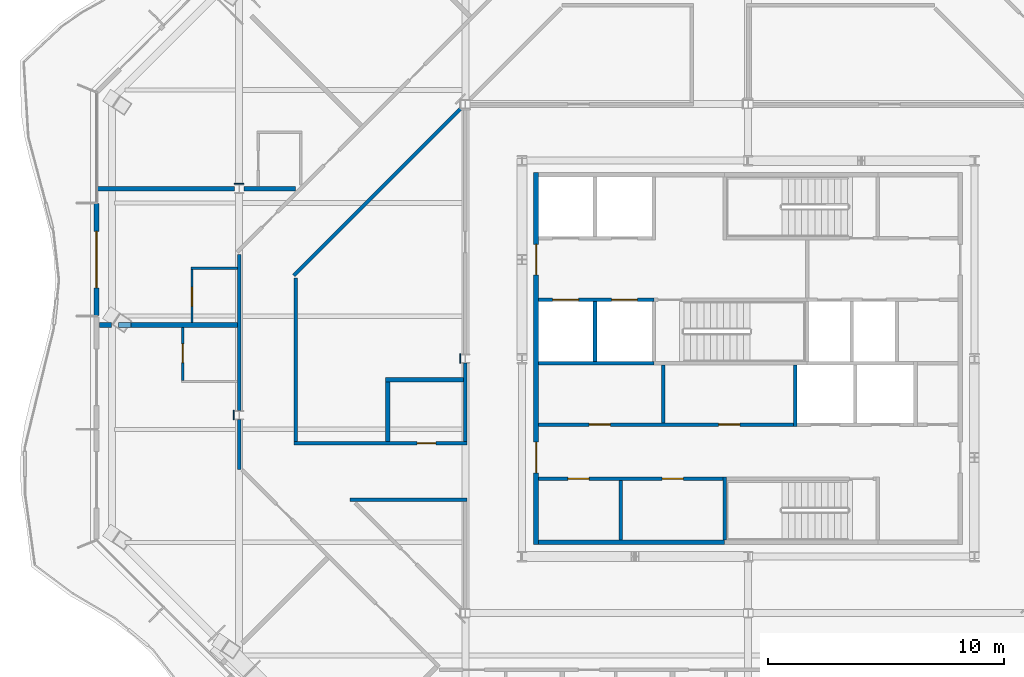
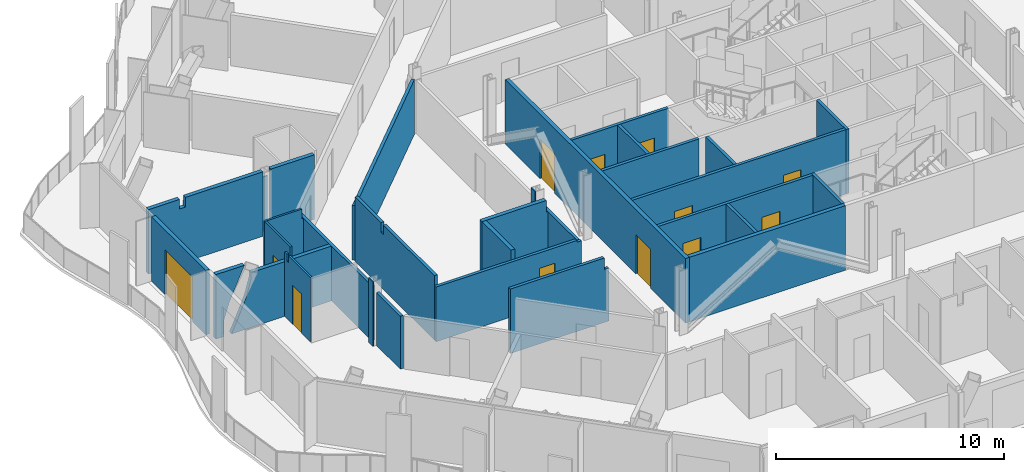
# One storey, part 8 of 21: 31 walls, 12 doors, 12 openings.
"""IFC4 building model written with IfcOpenShell, lengths in metres."""

from ifc_helpers import new_model, si_unit, direction, frame, frame_2d, origin, place, context, subcontext, project, spatial, polyline, rectangle, outline, extrude, material, layer, layer_set, type_object, element, fill, save


model = new_model("IFC4")

# Units and contexts
model_context = context("Model", 3, precision=1e-05, world=origin(), true_north=direction((0.0, 1.0)))
body_context = subcontext(model_context, "Body", "Model", "MODEL_VIEW")
ifc_project = project(units=[si_unit("LENGTHUNIT", "METRE"), si_unit("AREAUNIT", "SQUARE_METRE"), si_unit("VOLUMEUNIT", "CUBIC_METRE"), si_unit("PLANEANGLEUNIT", "RADIAN"), si_unit("MASSUNIT", "GRAM", prefix="KILO")], contexts=[model_context])

# Site, building, storey
site_placement = place(None, origin())
site = spatial("IfcSite", under=ifc_project, at=site_placement, CompositionType="ELEMENT")
building_placement = place(site_placement, origin())
building = spatial("IfcBuilding", under=site, at=building_placement, Name="Cairn Pilgrim Tower", CompositionType="ELEMENT")
storey_placement = place(building_placement, frame((0.0, 0.0, 179.39990234375)))
storey = spatial("IfcBuildingStorey", under=building, at=storey_placement, Name="L45", CompositionType="ELEMENT", Elevation=179.39990234375)

# Wall, opening, door
ifc_material_1 = material(Name="Bronze anodised aluminium insulated sandwich panel with mineral wool fill", Category="aluminium")
ifc_layer_1 = layer(ifc_material_1, 0.199951171875)
ifc_layer_set_1 = layer_set([ifc_layer_1], Name="BRONZE INFILL FRAME WALL 200")
wall_type_1 = type_object("IfcWallType", Name="BRONZE INFILL FRAME WALL 200", PredefinedType="NOTDEFINED", material=ifc_layer_set_1)
wall_1_placement = place(storey_placement, frame((-20.449951171875, 8.969970703125, 0.0), z_axis=(0.0, 0.0, 1.0), x_axis=(0.0, -1.0, 0.0)))
wall_1 = element("IfcWall", 1, at=wall_1_placement, inside=storey, type_object=wall_type_1, Name="Bronze infill frame wall IW-W2", PredefinedType="NOTDEFINED", context=body_context, shape_type="SweptSolid", body=[
    extrude(rectangle(XDim=4.739990234375, YDim=0.199951171875, at=frame_2d((2.3701171875, 0.0))), origin(), (0.0, 0.0, 1.0), 3.4501953125),
])
opening_1_placement = place(wall_1_placement, frame((1.169921875, 0.0, 0.0)))
opening_1 = element("IfcOpeningElement", 2, at=opening_1_placement, cuts=wall_1, Name="Opening 4514B", PredefinedType="OPENING", context=body_context, shape_type="SweptSolid", body=[
    extrude(rectangle(XDim=2.39990234375, YDim=2.39990234375, at=frame_2d((1.199951171875, 1.199951171875))), frame((0.0, 0.10986328125, 0.0), z_axis=(0.0, -1.0, 0.0), x_axis=(1.0, 0.0, 0.0)), (0.0, 0.0, 1.0), 0.219970703125),
])
ifc_material_2 = material(Name="Bronze anodised aluminium frame with tinted low-E glass", Category="aluminium")
door_type_1 = type_object("IfcDoorType", Name="BALCONY SLIDING DOOR 2400x2400", OperationType="DOUBLE_DOOR_SLIDING", PredefinedType="DOOR", material=ifc_material_2)
door_1_placement = place(opening_1_placement, origin())
door_1 = element("IfcDoor", 3, at=door_1_placement, inside=storey, type_object=door_type_1, Name="Balcony sliding door 4514B", OperationType="SINGLE_SWING_LEFT", OverallHeight=2.39990234375, OverallWidth=2.39990234375, PredefinedType="DOOR", context=body_context, shape_type="SweptSolid", body=[
    extrude(rectangle(XDim=2.39990234375, YDim=2.39990234375, at=frame_2d((1.199951171875, 1.199951171875))), frame((0.0, 0.02490234375, 0.0), z_axis=(0.0, -1.0, 0.0), x_axis=(1.0, 0.0, 0.0)), (0.0, 0.0, 1.0), 0.050048828125),
])
fill(opening_1, door_1)

# Wall
ifc_material_3 = material(Name="Concrete C32/40", Category="concrete")
ifc_layer_2 = layer(ifc_material_3, 0.199951171875)
ifc_layer_set_2 = layer_set([ifc_layer_2], Name="CORE OUTER WALL 200 EI 120")
wall_type_2 = type_object("IfcWallType", Name="CORE OUTER WALL 200 EI 120", PredefinedType="SOLIDWALL", material=ifc_layer_set_2)
wall_2_placement = place(storey_placement, frame((-1.699951171875, -5.39990234375, 0.0), z_axis=(0.0, 0.0, 1.0), x_axis=(1.0, 0.0, 0.0)))
element("IfcWall", 4, at=wall_2_placement, inside=storey, type_object=wall_type_2, Name="CW:L45:H01-1", PredefinedType="SOLIDWALL", context=body_context, shape_type="SweptSolid", body=[
    extrude(rectangle(XDim=7.89990234375, YDim=0.199951171875, at=frame_2d((3.949951171875, 0.0))), origin(), (0.0, 0.0, 1.0), 3.4501953125),
])

# Wall, openings, doors
wall_3_placement = place(storey_placement, frame((-1.800048828125, -5.5, 0.0), z_axis=(0.0, 0.0, 1.0), x_axis=(0.0, 1.0, 0.0)))
wall_3 = element("IfcWall", 5, at=wall_3_placement, inside=storey, type_object=wall_type_2, Name="CW:L45:V13", PredefinedType="SOLIDWALL", context=body_context, shape_type="SweptSolid", body=[
    extrude(rectangle(XDim=15.800048828125, YDim=0.199951171875, at=frame_2d((7.89990234375, 0.0))), origin(), (0.0, 0.0, 1.0), 3.4501953125),
])
opening_2_placement = place(wall_3_placement, frame((3.050048828125, 0.0, 0.0)))
opening_2 = element("IfcOpeningElement", 6, at=opening_2_placement, cuts=wall_3, Name="Opening CD-W1", PredefinedType="OPENING", context=body_context, shape_type="SweptSolid", body=[
    extrude(rectangle(XDim=1.300048828125, YDim=2.10009765625, at=frame_2d((0.64990234375, 1.050048828125))), frame((0.0, 0.10986328125, 0.0), z_axis=(0.0, -1.0, 0.0), x_axis=(1.0, 0.0, 0.0)), (0.0, 0.0, 1.0), 0.219970703125),
])
opening_3_placement = place(wall_3_placement, frame((11.449951171875, 0.0, 0.0)))
opening_3 = element("IfcOpeningElement", 7, at=opening_3_placement, cuts=wall_3, Name="Opening CD-W2", PredefinedType="OPENING", context=body_context, shape_type="SweptSolid", body=[
    extrude(rectangle(XDim=1.300048828125, YDim=2.10009765625, at=frame_2d((0.64990234375, 1.050048828125))), frame((0.0, 0.10986328125, 0.0), z_axis=(0.0, -1.0, 0.0), x_axis=(1.0, 0.0, 0.0)), (0.0, 0.0, 1.0), 0.219970703125),
])
ifc_material_4 = material(Name="Painted steel", Category="steel")
door_type_2 = type_object("IfcDoorType", Name="CORE LOBBY DOOR 1300x2100", OperationType="DOUBLE_DOOR_SINGLE_SWING", PredefinedType="DOOR", material=ifc_material_4)
door_2_placement = place(opening_2_placement, origin())
door_2 = element("IfcDoor", 8, at=door_2_placement, inside=storey, type_object=door_type_2, Name="CD-W1", OperationType="DOUBLE_DOOR_SINGLE_SWING", OverallHeight=2.10009765625, OverallWidth=1.300048828125, PredefinedType="DOOR", context=body_context, shape_type="SweptSolid", body=[
    extrude(rectangle(XDim=1.300048828125, YDim=2.10009765625, at=frame_2d((0.64990234375, 1.050048828125))), frame((0.0, 0.02490234375, 0.0), z_axis=(0.0, -1.0, 0.0), x_axis=(1.0, 0.0, 0.0)), (0.0, 0.0, 1.0), 0.050048828125),
])
fill(opening_2, door_2)
door_3_placement = place(opening_3_placement, origin())
door_3 = element("IfcDoor", 9, at=door_3_placement, inside=storey, type_object=door_type_2, Name="CD-W2", OperationType="DOUBLE_DOOR_SINGLE_SWING", OverallHeight=2.10009765625, OverallWidth=1.300048828125, PredefinedType="DOOR", context=body_context, shape_type="SweptSolid", body=[
    extrude(rectangle(XDim=1.300048828125, YDim=2.10009765625, at=frame_2d((0.64990234375, 1.050048828125))), frame((0.0, 0.02490234375, 0.0), z_axis=(0.0, -1.0, 0.0), x_axis=(1.0, 0.0, 0.0)), (0.0, 0.0, 1.0), 0.050048828125),
])
fill(opening_3, door_3)

ifc_layer_3 = layer(ifc_material_3, 0.14990234375)
ifc_layer_set_3 = layer_set([ifc_layer_3], Name="CORE PARTITION 150 EI 60")
wall_type_3 = type_object("IfcWallType", Name="CORE PARTITION 150 EI 60", PredefinedType="PARTITIONING", material=ifc_layer_set_3)
wall_4_placement = place(storey_placement, frame((-1.699951171875, -2.699951171875, 0.0), z_axis=(0.0, 0.0, 1.0), x_axis=(1.0, 0.0, 0.0)))
wall_4 = element("IfcWall", 10, at=wall_4_placement, inside=storey, type_object=wall_type_3, Name="CW:L45:H02", PredefinedType="PARTITIONING", context=body_context, shape_type="SweptSolid", body=[
    extrude(rectangle(XDim=7.824951171875, YDim=0.14990234375, at=frame_2d((3.91259765625, 0.0))), origin(), (0.0, 0.0, 1.0), 3.4501953125),
])
opening_4_placement = place(wall_4_placement, frame((1.25, 0.0, 0.0)))
opening_4 = element("IfcOpeningElement", 11, at=opening_4_placement, cuts=wall_4, Name="Opening RD-R1W1", PredefinedType="OPENING", context=body_context, shape_type="SweptSolid", body=[
    extrude(rectangle(XDim=0.89990234375, YDim=2.10009765625, at=frame_2d((0.449951171875, 1.050048828125))), frame((0.0, 0.0849609375, 0.0), z_axis=(0.0, -1.0, 0.0), x_axis=(1.0, 0.0, 0.0)), (0.0, 0.0, 1.0), 0.169921875),
])
opening_5_placement = place(wall_4_placement, frame((5.25, 0.0, 0.0)))
opening_5 = element("IfcOpeningElement", 12, at=opening_5_placement, cuts=wall_4, Name="Opening RD-R1W2", PredefinedType="OPENING", context=body_context, shape_type="SweptSolid", body=[
    extrude(rectangle(XDim=0.89990234375, YDim=2.10009765625, at=frame_2d((0.449951171875, 1.050048828125))), frame((0.0, 0.0849609375, 0.0), z_axis=(0.0, -1.0, 0.0), x_axis=(1.0, 0.0, 0.0)), (0.0, 0.0, 1.0), 0.169921875),
])
door_type_3 = type_object("IfcDoorType", Name="SERVICE ROOM DOOR 900x2100", OperationType="SINGLE_SWING_LEFT", PredefinedType="DOOR", material=ifc_material_4)
door_4_placement = place(opening_4_placement, origin())
door_4 = element("IfcDoor", 13, at=door_4_placement, inside=storey, type_object=door_type_3, Name="RD-R1W1", OperationType="SINGLE_SWING_LEFT", OverallHeight=2.10009765625, OverallWidth=0.89990234375, PredefinedType="DOOR", context=body_context, shape_type="SweptSolid", body=[
    extrude(rectangle(XDim=0.89990234375, YDim=2.10009765625, at=frame_2d((0.449951171875, 1.050048828125))), frame((0.0, 0.02490234375, 0.0), z_axis=(0.0, -1.0, 0.0), x_axis=(1.0, 0.0, 0.0)), (0.0, 0.0, 1.0), 0.050048828125),
])
fill(opening_4, door_4)
door_5_placement = place(opening_5_placement, origin())
door_5 = element("IfcDoor", 14, at=door_5_placement, inside=storey, type_object=door_type_3, Name="RD-R1W2", OperationType="SINGLE_SWING_RIGHT", OverallHeight=2.10009765625, OverallWidth=0.89990234375, PredefinedType="DOOR", context=body_context, shape_type="SweptSolid", body=[
    extrude(rectangle(XDim=0.89990234375, YDim=2.10009765625, at=frame_2d((0.449951171875, 1.050048828125))), frame((0.0, 0.02490234375, 0.0), z_axis=(0.0, -1.0, 0.0), x_axis=(1.0, 0.0, 0.0)), (0.0, 0.0, 1.0), 0.050048828125),
])
fill(opening_5, door_5)

wall_5_placement = place(storey_placement, frame((-1.699951171875, -0.39990234375, 0.0), z_axis=(0.0, 0.0, 1.0), x_axis=(1.0, 0.0, 0.0)))
wall_5 = element("IfcWall", 15, at=wall_5_placement, inside=storey, type_object=wall_type_3, Name="CW:L45:H04", PredefinedType="PARTITIONING", context=body_context, shape_type="SweptSolid", body=[
    extrude(rectangle(XDim=10.824951171875, YDim=0.14990234375, at=frame_2d((5.41259765625, 0.0))), origin(), (0.0, 0.0, 1.0), 3.4501953125),
])
opening_6_placement = place(wall_5_placement, frame((2.14990234375, 0.0, 0.0)))
opening_6 = element("IfcOpeningElement", 16, at=opening_6_placement, cuts=wall_5, Name="Opening RD-R2W1", PredefinedType="OPENING", context=body_context, shape_type="SweptSolid", body=[
    extrude(rectangle(XDim=0.89990234375, YDim=2.10009765625, at=frame_2d((0.449951171875, 1.050048828125))), frame((0.0, 0.0849609375, 0.0), z_axis=(0.0, -1.0, 0.0), x_axis=(1.0, 0.0, 0.0)), (0.0, 0.0, 1.0), 0.169921875),
])
opening_7_placement = place(wall_5_placement, frame((7.64990234375, 0.0, 0.0)))
opening_7 = element("IfcOpeningElement", 17, at=opening_7_placement, cuts=wall_5, Name="Opening RD-R2W2", PredefinedType="OPENING", context=body_context, shape_type="SweptSolid", body=[
    extrude(rectangle(XDim=0.89990234375, YDim=2.10009765625, at=frame_2d((0.449951171875, 1.050048828125))), frame((0.0, 0.0849609375, 0.0), z_axis=(0.0, -1.0, 0.0), x_axis=(1.0, 0.0, 0.0)), (0.0, 0.0, 1.0), 0.169921875),
])
door_6_placement = place(opening_6_placement, origin())
door_6 = element("IfcDoor", 18, at=door_6_placement, inside=storey, type_object=door_type_3, Name="RD-R2W1", OperationType="SINGLE_SWING_LEFT", OverallHeight=2.10009765625, OverallWidth=0.89990234375, PredefinedType="DOOR", context=body_context, shape_type="SweptSolid", body=[
    extrude(rectangle(XDim=0.89990234375, YDim=2.10009765625, at=frame_2d((0.449951171875, 1.050048828125))), frame((0.0, 0.02490234375, 0.0), z_axis=(0.0, -1.0, 0.0), x_axis=(1.0, 0.0, 0.0)), (0.0, 0.0, 1.0), 0.050048828125),
])
fill(opening_6, door_6)
door_7_placement = place(opening_7_placement, origin())
door_7 = element("IfcDoor", 19, at=door_7_placement, inside=storey, type_object=door_type_3, Name="RD-R2W2", OperationType="SINGLE_SWING_RIGHT", OverallHeight=2.10009765625, OverallWidth=0.89990234375, PredefinedType="DOOR", context=body_context, shape_type="SweptSolid", body=[
    extrude(rectangle(XDim=0.89990234375, YDim=2.10009765625, at=frame_2d((0.449951171875, 1.050048828125))), frame((0.0, 0.02490234375, 0.0), z_axis=(0.0, -1.0, 0.0), x_axis=(1.0, 0.0, 0.0)), (0.0, 0.0, 1.0), 0.050048828125),
])
fill(opening_7, door_7)

# Walls
wall_6_placement = place(storey_placement, frame((1.800048828125, -5.300048828125, 0.0), z_axis=(0.0, 0.0, 1.0), x_axis=(0.0, 1.0, 0.0)))
element("IfcWall", 20, at=wall_6_placement, inside=storey, type_object=wall_type_3, Name="CW:L45:V16", PredefinedType="PARTITIONING", context=body_context, shape_type="SweptSolid", body=[
    extrude(rectangle(XDim=2.525146484375, YDim=0.14990234375, at=frame_2d((1.2626953125, 0.0))), origin(), (0.0, 0.0, 1.0), 3.4501953125),
])
wall_7_placement = place(storey_placement, frame((3.60009765625, -0.324951171875, 0.0), z_axis=(0.0, 0.0, 1.0), x_axis=(0.0, 1.0, 0.0)))
element("IfcWall", 21, at=wall_7_placement, inside=storey, type_object=wall_type_3, Name="CW:L45:V19", PredefinedType="PARTITIONING", context=body_context, shape_type="SweptSolid", body=[
    extrude(rectangle(XDim=2.449951171875, YDim=0.14990234375, at=frame_2d((1.22509765625, 0.0))), origin(), (0.0, 0.0, 1.0), 3.4501953125),
])
ifc_layer_4 = layer(ifc_material_3, 0.14990234375)
ifc_layer_set_4 = layer_set([ifc_layer_4], Name="CORE SHAFT WALL 150 EI 120")
wall_type_4 = type_object("IfcWallType", Name="CORE SHAFT WALL 150 EI 120", PredefinedType="SOLIDWALL", material=ifc_layer_set_4)
wall_8_placement = place(storey_placement, frame((-1.699951171875, 2.199951171875, 0.0), z_axis=(0.0, 0.0, 1.0), x_axis=(1.0, 0.0, 0.0)))
element("IfcWall", 22, at=wall_8_placement, inside=storey, type_object=wall_type_4, Name="CW:L45:H07-1", PredefinedType="SOLIDWALL", context=body_context, shape_type="SweptSolid", body=[
    extrude(rectangle(XDim=4.89990234375, YDim=0.14990234375, at=frame_2d((2.449951171875, 0.0))), origin(), (0.0, 0.0, 1.0), 3.4501953125),
])

# Wall, openings, doors
wall_9_placement = place(storey_placement, frame((-1.699951171875, 4.89990234375, 0.0), z_axis=(0.0, 0.0, 1.0), x_axis=(1.0, 0.0, 0.0)))
wall_9 = element("IfcWall", 23, at=wall_9_placement, inside=storey, type_object=wall_type_4, Name="CW:L45:H09-1", PredefinedType="SOLIDWALL", context=body_context, shape_type="SweptSolid", body=[
    extrude(rectangle(XDim=4.89990234375, YDim=0.14990234375, at=frame_2d((2.449951171875, 0.0))), origin(), (0.0, 0.0, 1.0), 3.4501953125),
])
opening_8_placement = place(wall_9_placement, frame((0.60009765625, 0.0, 0.0)))
opening_8 = element("IfcOpeningElement", 24, at=opening_8_placement, cuts=wall_9, Name="Opening LD-HR1", PredefinedType="OPENING", context=body_context, shape_type="SweptSolid", body=[
    extrude(rectangle(XDim=1.10009765625, YDim=2.10009765625, at=frame_2d((0.550048828125, 1.050048828125))), frame((0.0, 0.0849609375, 0.0), z_axis=(0.0, -1.0, 0.0), x_axis=(1.0, 0.0, 0.0)), (0.0, 0.0, 1.0), 0.169921875),
])
opening_9_placement = place(wall_9_placement, frame((3.10009765625, 0.0, 0.0)))
opening_9 = element("IfcOpeningElement", 25, at=opening_9_placement, cuts=wall_9, Name="Opening LD-HR2", PredefinedType="OPENING", context=body_context, shape_type="SweptSolid", body=[
    extrude(rectangle(XDim=1.10009765625, YDim=2.10009765625, at=frame_2d((0.550048828125, 1.050048828125))), frame((0.0, 0.0849609375, 0.0), z_axis=(0.0, -1.0, 0.0), x_axis=(1.0, 0.0, 0.0)), (0.0, 0.0, 1.0), 0.169921875),
])
ifc_material_5 = material(Name="Stainless steel", Category="steel")
door_type_4 = type_object("IfcDoorType", Name="LIFT LANDING DOOR 1100x2100", OperationType="DOUBLE_DOOR_SLIDING", PredefinedType="DOOR", material=ifc_material_5)
door_8_placement = place(opening_8_placement, origin())
door_8 = element("IfcDoor", 26, at=door_8_placement, inside=storey, type_object=door_type_4, Name="LANDING DOOR HR1", OperationType="DOUBLE_DOOR_SLIDING", OverallHeight=2.10009765625, OverallWidth=1.10009765625, PredefinedType="DOOR", context=body_context, shape_type="SweptSolid", body=[
    extrude(rectangle(XDim=1.10009765625, YDim=2.10009765625, at=frame_2d((0.550048828125, 1.050048828125))), frame((0.0, 0.02490234375, 0.0), z_axis=(0.0, -1.0, 0.0), x_axis=(1.0, 0.0, 0.0)), (0.0, 0.0, 1.0), 0.050048828125),
])
fill(opening_8, door_8)
door_9_placement = place(opening_9_placement, origin())
door_9 = element("IfcDoor", 27, at=door_9_placement, inside=storey, type_object=door_type_4, Name="LANDING DOOR HR2", OperationType="DOUBLE_DOOR_SLIDING", OverallHeight=2.10009765625, OverallWidth=1.10009765625, PredefinedType="DOOR", context=body_context, shape_type="SweptSolid", body=[
    extrude(rectangle(XDim=1.10009765625, YDim=2.10009765625, at=frame_2d((0.550048828125, 1.050048828125))), frame((0.0, 0.02490234375, 0.0), z_axis=(0.0, -1.0, 0.0), x_axis=(1.0, 0.0, 0.0)), (0.0, 0.0, 1.0), 0.050048828125),
])
fill(opening_9, door_9)

# Walls
wall_10_placement = place(storey_placement, frame((0.699951171875, 2.27490234375, 0.0), z_axis=(0.0, 0.0, 1.0), x_axis=(0.0, 1.0, 0.0)))
element("IfcWall", 28, at=wall_10_placement, inside=storey, type_object=wall_type_4, Name="CW:L45:V14", PredefinedType="SOLIDWALL", context=body_context, shape_type="SweptSolid", body=[
    extrude(rectangle(XDim=2.550048828125, YDim=0.14990234375, at=frame_2d((1.27490234375, 0.0))), origin(), (0.0, 0.0, 1.0), 3.4501953125),
])
wall_11_placement = place(storey_placement, frame((9.199951171875, -0.47509765625, 0.0), z_axis=(0.0, 0.0, 1.0), x_axis=(0.0, 1.0, 0.0)))
element("IfcWall", 29, at=wall_11_placement, inside=storey, type_object=wall_type_4, Name="CW:L45:V22", PredefinedType="SOLIDWALL", context=body_context, shape_type="SweptSolid", body=[
    extrude(rectangle(XDim=2.60009765625, YDim=0.14990234375, at=frame_2d((1.300048828125, 0.0))), origin(), (0.0, 0.0, 1.0), 3.4501953125),
])

# Wall, opening, door
ifc_material_6 = material(Name="Gypsum partition")
ifc_layer_5 = layer(ifc_material_6, 0.10009765625)
ifc_layer_set_5 = layer_set([ifc_layer_5], Name="PARTITION 100 DRYWALL")
wall_type_5 = type_object("IfcWallType", Name="PARTITION 100 DRYWALL", PredefinedType="PARTITIONING", material=ifc_layer_set_5)
wall_12_placement = place(storey_placement, frame((-16.800048828125, 1.47509765625, 0.0), z_axis=(0.0, 0.0, 1.0), x_axis=(0.0, 1.0, 0.0)))
wall_12 = element("IfcWall", 30, at=wall_12_placement, inside=storey, type_object=wall_type_5, Name="PARTITION W051", PredefinedType="PARTITIONING", context=body_context, shape_type="SweptSolid", body=[
    extrude(outline(polyline([(0.0, 0.0), (2.25, 0.0), (2.25, 3.4501953125), (2.06005859375, 3.4501953125), (2.05810546875, 3.070068359375), (1.889892578125, 3.070068359375), (1.887939453125, 3.4501953125), (0.0, 3.4501953125), (0.0, 0.0)])), frame((0.0, 0.050048828125, 0.0), z_axis=(0.0, -1.0, 0.0), x_axis=(1.0, 0.0, 0.0)), (0.0, 0.0, 1.0), 0.10009765625),
])
opening_10_placement = place(wall_12_placement, frame((0.75, 0.0, 0.0)))
opening_10 = element("IfcOpeningElement", 31, at=opening_10_placement, cuts=wall_12, Name="Opening 4515A", PredefinedType="OPENING", context=body_context, shape_type="SweptSolid", body=[
    extrude(rectangle(XDim=0.800048828125, YDim=2.10009765625, at=frame_2d((0.39990234375, 1.050048828125))), frame((0.0, 0.06005859375, 0.0), z_axis=(0.0, -1.0, 0.0), x_axis=(1.0, 0.0, 0.0)), (0.0, 0.0, 1.0), 0.1201171875),
])
ifc_material_7 = material(Name="Timber door leaf", Category="wood")
door_type_5 = type_object("IfcDoorType", Name="WC DOOR 800x2100", OperationType="NOTDEFINED", PredefinedType="DOOR", material=ifc_material_7)
door_10_placement = place(opening_10_placement, origin())
door_10 = element("IfcDoor", 32, at=door_10_placement, inside=storey, type_object=door_type_5, Name="DOOR 4515A", OperationType="SINGLE_SWING_LEFT", OverallHeight=2.10009765625, OverallWidth=0.800048828125, PredefinedType="DOOR", context=body_context, shape_type="SweptSolid", body=[
    extrude(rectangle(XDim=0.800048828125, YDim=2.10009765625, at=frame_2d((0.39990234375, 1.050048828125))), frame((0.0, 0.02490234375, 0.0), z_axis=(0.0, -1.0, 0.0), x_axis=(1.0, 0.0, 0.0)), (0.0, 0.0, 1.0), 0.050048828125),
])
fill(opening_10, door_10)

wall_13_placement = place(storey_placement, frame((-16.39990234375, 3.925048828125, 0.0), z_axis=(0.0, 0.0, 1.0), x_axis=(0.0, 1.0, 0.0)))
wall_13 = element("IfcWall", 33, at=wall_13_placement, inside=storey, type_object=wall_type_5, Name="PARTITION W060", PredefinedType="PARTITIONING", context=body_context, shape_type="SweptSolid", body=[
    extrude(rectangle(XDim=2.25, YDim=0.10009765625, at=frame_2d((1.125, 0.0))), origin(), (0.0, 0.0, 1.0), 3.4501953125),
])
opening_11_placement = place(wall_13_placement, frame((0.699951171875, 0.0, 0.0)))
opening_11 = element("IfcOpeningElement", 34, at=opening_11_placement, cuts=wall_13, Name="Opening 4514A", PredefinedType="OPENING", context=body_context, shape_type="SweptSolid", body=[
    extrude(rectangle(XDim=0.800048828125, YDim=2.10009765625, at=frame_2d((0.39990234375, 1.050048828125))), frame((0.0, 0.06005859375, 0.0), z_axis=(0.0, -1.0, 0.0), x_axis=(1.0, 0.0, 0.0)), (0.0, 0.0, 1.0), 0.1201171875),
])
door_11_placement = place(opening_11_placement, origin())
door_11 = element("IfcDoor", 35, at=door_11_placement, inside=storey, type_object=door_type_5, Name="DOOR 4514A", OperationType="SINGLE_SWING_LEFT", OverallHeight=2.10009765625, OverallWidth=0.800048828125, PredefinedType="DOOR", context=body_context, shape_type="SweptSolid", body=[
    extrude(rectangle(XDim=0.800048828125, YDim=2.10009765625, at=frame_2d((0.39990234375, 1.050048828125))), frame((0.0, 0.02490234375, 0.0), z_axis=(0.0, -1.0, 0.0), x_axis=(1.0, 0.0, 0.0)), (0.0, 0.0, 1.0), 0.050048828125),
])
fill(opening_11, door_11)

# Walls
wall_14_placement = place(storey_placement, frame((-16.449951171875, 6.22509765625, 0.0), z_axis=(0.0, 0.0, 1.0), x_axis=(1.0, 0.0, 0.0)))
element("IfcWall", 36, at=wall_14_placement, inside=storey, type_object=wall_type_5, Name="PARTITION W064", PredefinedType="PARTITIONING", context=body_context, shape_type="SweptSolid", body=[
    extrude(outline(polyline([(0.0, 0.0), (1.974853515625, 0.0), (1.97509765625, 2.93017578125), (1.89990234375, 2.93017578125), (1.89794921875, 3.4501953125), (0.0, 3.4501953125), (0.0, 0.0)])), frame((0.0, 0.050048828125, 0.0), z_axis=(0.0, -1.0, 0.0), x_axis=(1.0, 0.0, 0.0)), (0.0, 0.0, 1.0), 0.10009765625),
])
ifc_layer_6 = layer(ifc_material_6, 0.14990234375)
ifc_layer_set_6 = layer_set([ifc_layer_6], Name="PARTITION 150 DRYWALL EI 60")
wall_type_6 = type_object("IfcWallType", Name="PARTITION 150 DRYWALL EI 60", PredefinedType="PARTITIONING", material=ifc_layer_set_6)
wall_15_placement = place(storey_placement, frame((-9.7060546875, -3.60009765625, 0.0), z_axis=(0.0, 0.0, 1.0), x_axis=(1.0, 0.0, 0.0)))
element("IfcWall", 37, at=wall_15_placement, inside=storey, type_object=wall_type_6, Name="PARTITION W034", PredefinedType="PARTITIONING", context=body_context, shape_type="SweptSolid", body=[
    extrude(outline(polyline([(0.0, 0.0), (4.98095703125, 0.0), (4.981201171875, 2.830078125), (4.756103515625, 2.830078125), (4.754150390625, 3.4501953125), (0.0, 3.4501953125), (0.0, 0.0)])), frame((0.0, 0.074951171875, 0.0), z_axis=(0.0, -1.0, 0.0), x_axis=(1.0, 0.0, 0.0)), (0.0, 0.0, 1.0), 0.14990234375),
])
wall_16_placement = place(storey_placement, frame((-14.39990234375, -2.300048828125, 0.0), z_axis=(0.0, 0.0, 1.0), x_axis=(0.0, 1.0, 0.0)))
element("IfcWall", 38, at=wall_16_placement, inside=storey, type_object=wall_type_6, Name="PARTITION W036", PredefinedType="PARTITIONING", context=body_context, shape_type="SweptSolid", body=[
    extrude(rectangle(XDim=2.103515625, YDim=0.14990234375, at=frame_2d((1.0517578125, 0.0))), origin(), (0.0, 0.0, 1.0), 2.830078125),
])

# Wall, opening, door
wall_17_placement = place(storey_placement, frame((-12.074951171875, -1.199951171875, 0.0), z_axis=(0.0, 0.0, 1.0), x_axis=(1.0, 0.0, 0.0)))
wall_17 = element("IfcWall", 39, at=wall_17_placement, inside=storey, type_object=wall_type_6, Name="PARTITION W037", PredefinedType="PARTITIONING", context=body_context, shape_type="SweptSolid", body=[
    extrude(outline(polyline([(0.0, 0.0), (7.349853515625, 0.0), (7.35009765625, 2.830078125), (7.125, 2.830078125), (7.123046875, 2.93017578125), (0.0, 2.93017578125), (0.0, 0.0)])), frame((0.0, 0.074951171875, 0.0), z_axis=(0.0, -1.0, 0.0), x_axis=(1.0, 0.0, 0.0)), (0.0, 0.0, 1.0), 0.14990234375),
])
opening_12_placement = place(wall_17_placement, frame((5.22509765625, 0.0, 0.0)))
opening_12 = element("IfcOpeningElement", 40, at=opening_12_placement, cuts=wall_17, Name="Opening 4522", PredefinedType="OPENING", context=body_context, shape_type="SweptSolid", body=[
    extrude(rectangle(XDim=0.800048828125, YDim=2.10009765625, at=frame_2d((0.39990234375, 1.050048828125))), frame((0.0, 0.0849609375, 0.0), z_axis=(0.0, -1.0, 0.0), x_axis=(1.0, 0.0, 0.0)), (0.0, 0.0, 1.0), 0.169921875),
])
door_type_6 = type_object("IfcDoorType", Name="WC DOOR 800x2100 FD30S", OperationType="NOTDEFINED", PredefinedType="DOOR", material=ifc_material_7)
door_12_placement = place(opening_12_placement, origin())
door_12 = element("IfcDoor", 41, at=door_12_placement, inside=storey, type_object=door_type_6, Name="DOOR 4522", OperationType="SINGLE_SWING_RIGHT", OverallHeight=2.10009765625, OverallWidth=0.800048828125, PredefinedType="DOOR", context=body_context, shape_type="SweptSolid", body=[
    extrude(rectangle(XDim=0.800048828125, YDim=2.10009765625, at=frame_2d((0.39990234375, 1.050048828125))), frame((0.0, 0.02490234375, 0.0), z_axis=(0.0, -1.0, 0.0), x_axis=(1.0, 0.0, 0.0)), (0.0, 0.0, 1.0), 0.050048828125),
])
fill(opening_12, door_12)

# Walls
wall_18_placement = place(storey_placement, frame((-12.0, -1.125, 0.0), z_axis=(0.0, 0.0, 1.0), x_axis=(0.0, 1.0, 0.0)))
element("IfcWall", 42, at=wall_18_placement, inside=storey, type_object=wall_type_6, Name="PARTITION W039", PredefinedType="PARTITIONING", context=body_context, shape_type="SweptSolid", body=[
    extrude(outline(polyline([(0.0, 0.0), (6.94384765625, 0.0), (6.94384765625, 3.4501953125), (4.675048828125, 3.4501953125), (4.673095703125, 2.93017578125), (4.47509765625, 2.93017578125), (4.472900390625, 3.4501953125), (0.0, 3.4501953125), (0.0, 0.0)])), frame((0.0, 0.074951171875, 0.0), z_axis=(0.0, -1.0, 0.0), x_axis=(1.0, 0.0, 0.0)), (0.0, 0.0, 1.0), 0.14990234375),
])
wall_19_placement = place(storey_placement, frame((-4.800048828125, -1.125, 0.0), z_axis=(0.0, 0.0, 1.0), x_axis=(0.0, 1.0, 0.0)))
element("IfcWall", 43, at=wall_19_placement, inside=storey, type_object=wall_type_6, Name="PARTITION W041", PredefinedType="PARTITIONING", context=body_context, shape_type="SweptSolid", body=[
    extrude(rectangle(XDim=3.32861328125, YDim=0.14990234375, at=frame_2d((1.664306640625, 0.0))), origin(), (0.0, 0.0, 1.0), 2.830078125),
])
wall_20_placement = place(storey_placement, frame((-14.39990234375, 0.196533203125, 0.0), z_axis=(0.0, 0.0, 1.0), x_axis=(0.0, 1.0, 0.0)))
element("IfcWall", 44, at=wall_20_placement, inside=storey, type_object=wall_type_6, Name="PARTITION W045", PredefinedType="PARTITIONING", context=body_context, shape_type="SweptSolid", body=[
    extrude(rectangle(XDim=6.616455078125, YDim=0.14990234375, at=frame_2d((3.30810546875, 0.0))), origin(), (0.0, 0.0, 1.0), 2.93017578125),
])
wall_21_placement = place(storey_placement, frame((-12.074951171875, 5.925048828125, 0.0), z_axis=(0.0, 0.0, 1.0), x_axis=(0.707106781187, 0.707106781187, 0.0)))
element("IfcWall", 45, at=wall_21_placement, inside=storey, type_object=wall_type_6, Name="PARTITION W063", PredefinedType="PARTITIONING", context=body_context, shape_type="SweptSolid", body=[
    extrude(rectangle(XDim=10.00830078125, YDim=0.14990234375, at=frame_2d((5.004150390625, 0.0))), origin(), (0.0, 0.0, 1.0), 2.93017578125),
])
ifc_layer_7 = layer(ifc_material_6, 0.050048828125)
ifc_layer_set_7 = layer_set([ifc_layer_7], Name="PARTITION 50 DRYWALL EI 60")
wall_type_7 = type_object("IfcWallType", Name="PARTITION 50 DRYWALL EI 60", PredefinedType="PARTITIONING", material=ifc_layer_set_7)
wall_22_placement = place(storey_placement, frame((-14.62451171875, -0.196533203125, 0.0), z_axis=(0.0, 0.0, 1.0), x_axis=(0.0, 1.0, 0.0)))
element("IfcWall", 46, at=wall_22_placement, inside=storey, type_object=wall_type_7, Name="COLUMN CASING WC14", PredefinedType="PARTITIONING", context=body_context, shape_type="SweptSolid", body=[
    extrude(rectangle(XDim=0.39306640625, YDim=0.050048828125, at=frame_2d((0.196533203125, 0.0))), origin(), (0.0, 0.0, 1.0), 3.4501953125),
])
wall_23_placement = place(storey_placement, frame((-5.0244140625, 2.20361328125, 0.0), z_axis=(0.0, 0.0, 1.0), x_axis=(0.0, 1.0, 0.0)))
element("IfcWall", 47, at=wall_23_placement, inside=storey, type_object=wall_type_7, Name="COLUMN CASING WC15", PredefinedType="PARTITIONING", context=body_context, shape_type="SweptSolid", body=[
    extrude(rectangle(XDim=0.392822265625, YDim=0.050048828125, at=frame_2d((0.1962890625, 0.0))), origin(), (0.0, 0.0, 1.0), 3.4501953125),
])
wall_24_placement = place(storey_placement, frame((-14.599609375, 9.821533203125, 0.0), z_axis=(0.0, 0.0, 1.0), x_axis=(1.0, 0.0, 0.0)))
element("IfcWall", 48, at=wall_24_placement, inside=storey, type_object=wall_type_7, Name="COLUMN CASING WC22", PredefinedType="PARTITIONING", context=body_context, shape_type="SweptSolid", body=[
    extrude(rectangle(XDim=0.399169921875, YDim=0.050048828125, at=frame_2d((0.19970703125, 0.0))), origin(), (0.0, 0.0, 1.0), 2.93017578125),
])
ifc_layer_8 = layer(ifc_material_6, 0.199951171875)
ifc_layer_set_8 = layer_set([ifc_layer_8], Name="SHAFT WALL 200 GYPSUM EI 60")
wall_type_8 = type_object("IfcWallType", Name="SHAFT WALL 200 GYPSUM EI 60", PredefinedType="PARTITIONING", material=ifc_layer_set_8)
wall_25_placement = place(storey_placement, frame((-8.10009765625, -1.125, 0.0), z_axis=(0.0, 0.0, 1.0), x_axis=(0.0, 1.0, 0.0)))
element("IfcWall", 49, at=wall_25_placement, inside=storey, type_object=wall_type_8, Name="PARTITION W040", PredefinedType="PARTITIONING", context=body_context, shape_type="SweptSolid", body=[
    extrude(rectangle(XDim=2.52490234375, YDim=0.199951171875, at=frame_2d((1.262451171875, 0.0))), origin(), (0.0, 0.0, 1.0), 3.4501953125),
])
wall_26_placement = place(storey_placement, frame((-8.199951171875, 1.5, 0.0), z_axis=(0.0, 0.0, 1.0), x_axis=(1.0, 0.0, 0.0)))
element("IfcWall", 50, at=wall_26_placement, inside=storey, type_object=wall_type_8, Name="PARTITION W052", PredefinedType="PARTITIONING", context=body_context, shape_type="SweptSolid", body=[
    extrude(outline(polyline([(0.0, 0.0), (3.324951171875, 0.0), (3.324951171875, 2.830078125), (3.25, 2.830078125), (3.248046875, 3.4501953125), (0.0, 3.4501953125), (0.0, 0.0)])), frame((0.0, 0.10009765625, 0.0), z_axis=(0.0, -1.0, 0.0), x_axis=(1.0, 0.0, 0.0)), (0.0, 0.0, 1.0), 0.199951171875),
])
wall_27_placement = place(storey_placement, frame((-20.320068359375, 3.824951171875, 0.0), z_axis=(0.0, 0.0, 1.0), x_axis=(1.0, 0.0, 0.0)))
element("IfcWall", 51, at=wall_27_placement, inside=storey, type_object=wall_type_8, Name="PARTITION W057", PredefinedType="PARTITIONING", context=body_context, shape_type="SweptSolid", body=[
    extrude(outline(polyline([(0.0, 0.0), (0.3916015625, 0.0), (0.4033203125, 0.862548828125), (0.6728515625, 1.72509765625), (1.053955078125, 2.587646484375), (1.443115234375, 3.4501953125), (0.0, 3.4501953125), (0.0, 2.587646484375), (0.0, 1.72509765625), (0.0, 0.862548828125), (0.0, 0.0)])), frame((0.0, 0.10009765625, 0.0), z_axis=(0.0, -1.0, 0.0), x_axis=(1.0, 0.0, 0.0)), (0.0, 0.0, 1.0), 0.199951171875),
])
wall_28_placement = place(storey_placement, frame((-19.530517578125, 3.824951171875, 0.0), z_axis=(0.0, 0.0, 1.0), x_axis=(1.0, 0.0, 0.0)))
element("IfcWall", 52, at=wall_28_placement, inside=storey, type_object=wall_type_8, Name="PARTITION W058", PredefinedType="PARTITIONING", context=body_context, shape_type="SweptSolid", body=[
    extrude(outline(polyline([(0.0, 0.0), (5.055419921875, 0.0), (5.055419921875, 0.862548828125), (5.055419921875, 1.72509765625), (5.055419921875, 2.587646484375), (5.055419921875, 2.93017578125), (0.98388671875, 2.93017578125), (0.98388671875, 2.587646484375), (0.74951171875, 1.72509765625), (0.389404296875, 0.862548828125), (0.0, 0.0)])), frame((0.0, 0.10009765625, 0.0), z_axis=(0.0, -1.0, 0.0), x_axis=(1.0, 0.0, 0.0)), (0.0, 0.0, 1.0), 0.199951171875),
])
wall_29_placement = place(storey_placement, frame((-20.403076171875, 9.60009765625, 0.0), z_axis=(0.0, 0.0, 1.0), x_axis=(1.0, 0.0, 0.0)))
element("IfcWall", 53, at=wall_29_placement, inside=storey, type_object=wall_type_8, Name="PARTITION W068", PredefinedType="PARTITIONING", context=body_context, shape_type="SweptSolid", body=[
    extrude(outline(polyline([(0.0, 0.0), (5.803466796875, 0.0), (5.803466796875, 3.4501953125), (1.8779296875, 3.4501953125), (1.8759765625, 2.93017578125), (1.577880859375, 2.93017578125), (1.575927734375, 3.4501953125), (0.0, 3.4501953125), (0.0, 0.0)])), frame((0.0, 0.10009765625, 0.0), z_axis=(0.0, -1.0, 0.0), x_axis=(1.0, 0.0, 0.0)), (0.0, 0.0, 1.0), 0.199951171875),
])
wall_30_placement = place(storey_placement, frame((-14.200439453125, 9.60009765625, 0.0), z_axis=(0.0, 0.0, 1.0), x_axis=(1.0, 0.0, 0.0)))
element("IfcWall", 54, at=wall_30_placement, inside=storey, type_object=wall_type_8, Name="PARTITION W069", PredefinedType="PARTITIONING", context=body_context, shape_type="SweptSolid", body=[
    extrude(rectangle(XDim=2.200439453125, YDim=0.199951171875, at=frame_2d((1.10009765625, 0.0))), origin(), (0.0, 0.0, 1.0), 3.4501953125),
])
ifc_material_8 = material(Name="Concrete C35/45", Category="concrete")
ifc_layer_9 = layer(ifc_material_8, 0.14990234375)
ifc_layer_set_9 = layer_set([ifc_layer_9], Name="STAIR SHAFT WALL 150 EI 120")
wall_type_9 = type_object("IfcWallType", Name="STAIR SHAFT WALL 150 EI 120", PredefinedType="SOLIDWALL", material=ifc_layer_set_9)
wall_31_placement = place(storey_placement, frame((6.199951171875, -5.300048828125, 0.0), z_axis=(0.0, 0.0, 1.0), x_axis=(0.0, 1.0, 0.0)))
element("IfcWall", 55, at=wall_31_placement, inside=storey, type_object=wall_type_9, Name="CW:L45:V20", PredefinedType="SOLIDWALL", context=body_context, shape_type="SweptSolid", body=[
    extrude(rectangle(XDim=2.675048828125, YDim=0.14990234375, at=frame_2d((1.33740234375, 0.0))), origin(), (0.0, 0.0, 1.0), 3.4501953125),
])

save(model, "model.ifc")
